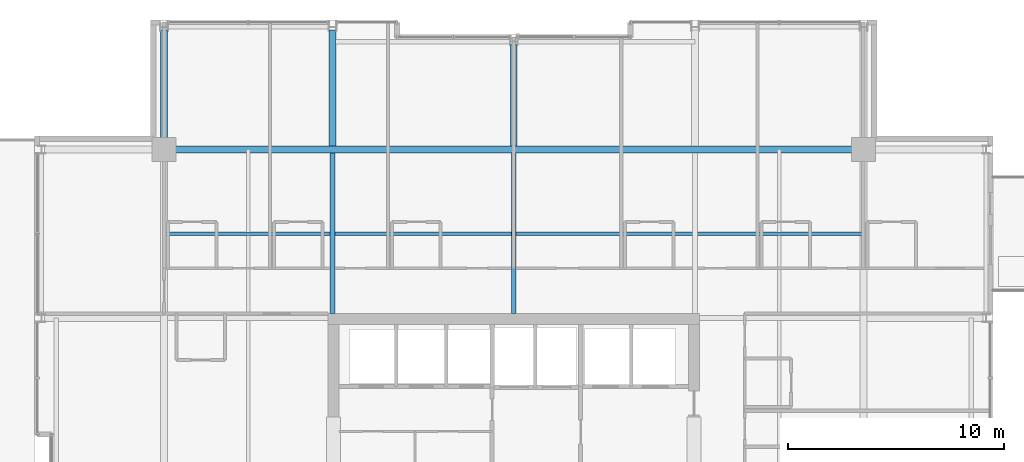
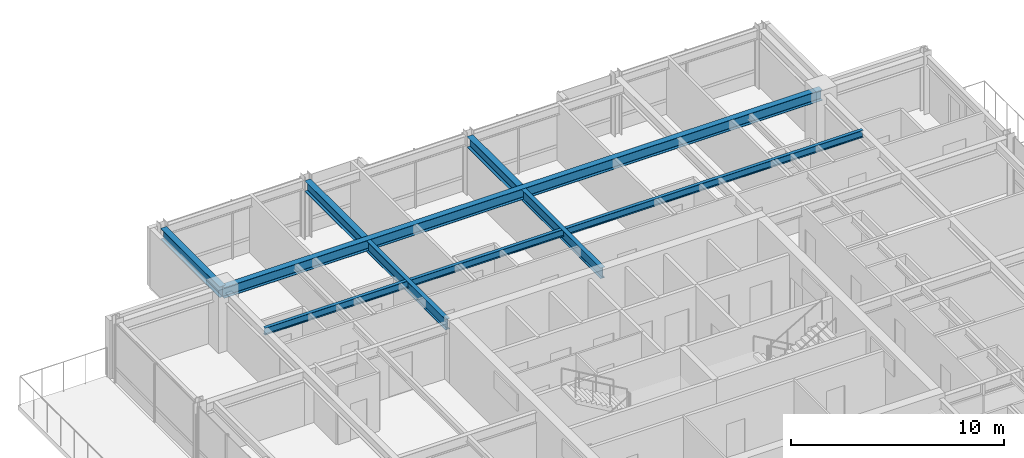
# One storey, part 18 of 32: 7 beams.
"""IFC4 building model written with IfcOpenShell, lengths in metres."""

from ifc_helpers import new_model, si_unit, direction, frame, origin, origin_2d, place, context, subcontext, project, spatial, i_section, extrude, material, material_profile, profile_set, type_object, element, save


model = new_model("IFC4")

# Units and contexts
model_context = context("Model", 3, precision=1e-05, world=origin(), true_north=direction((0.0, 1.0)))
body_context = subcontext(model_context, "Body", "Model", "MODEL_VIEW")
ifc_project = project(units=[si_unit("LENGTHUNIT", "METRE"), si_unit("AREAUNIT", "SQUARE_METRE"), si_unit("VOLUMEUNIT", "CUBIC_METRE"), si_unit("PLANEANGLEUNIT", "RADIAN"), si_unit("MASSUNIT", "GRAM", prefix="KILO")], contexts=[model_context])

# Site, building, storey
site_placement = place(None, origin())
site = spatial("IfcSite", under=ifc_project, at=site_placement, CompositionType="ELEMENT")
building_placement = place(site_placement, origin())
building = spatial("IfcBuilding", under=site, at=building_placement, Name="Drelvath Grand Hotel", CompositionType="ELEMENT")
storey_placement = place(building_placement, frame((0.0, 0.0, 205.10009765625)))
storey = spatial("IfcBuildingStorey", under=building, at=storey_placement, Name="L53", CompositionType="ELEMENT", Elevation=205.10009765625)

# Beams
ifc_material = material(Name="Steel ASTM A992 Gr 50", Category="steel")
ifc_material_profile_1 = material_profile(ifc_material, i_section(OverallWidth=0.177734375, OverallDepth=0.40673828125, WebThickness=0.0078125, FlangeThickness=0.0126953125, FilletRadius=0.014892578125, at=origin_2d()), Name="W16X40")
ifc_profile_set_1 = profile_set([ifc_material_profile_1], Name="Steel ASTM A992 Gr 50")
beam_type_1 = type_object("IfcBeamType", Name="Composite Floor Joist W16X40", PredefinedType="JOIST", material=ifc_profile_set_1)
beam_1_placement = place(storey_placement, frame((-16.199951171875, 39.300048828125, 3.136474609375), z_axis=(1.0, 0.0, 0.0), x_axis=(0.0, 1.0, 0.0)))
element("IfcBeam", 1, at=beam_1_placement, inside=storey, type_object=beam_type_1, Name="L53 Floor Joist J2", PredefinedType="JOIST", context=body_context, shape_type="SweptSolid", body=[
    extrude(i_section(OverallWidth=0.177734375, OverallDepth=0.40673828125, WebThickness=0.0078125, FlangeThickness=0.0126953125, FilletRadius=0.014892578125, at=origin_2d()), origin(), (0.0, 0.0, 1.0), 32.39990234375),
])
ifc_material_profile_2 = material_profile(ifc_material, i_section(OverallWidth=0.323974609375, OverallDepth=0.611083984375, WebThickness=0.0126953125, FlangeThickness=0.01904296875, FilletRadius=0.02197265625, at=origin_2d()), Name="W24X104")
ifc_profile_set_2 = profile_set([ifc_material_profile_2], Name="Steel ASTM A992 Gr 50")
beam_type_2 = type_object("IfcBeamType", Name="Primary Floor Girder W24X104", PredefinedType="BEAM", material=ifc_profile_set_2)
beam_2_placement = place(storey_placement, frame((-16.199951171875, 43.199951171875, 3.034423828125), z_axis=(1.0, 0.0, 0.0), x_axis=(0.0, 1.0, 0.0)))
element("IfcBeam", 2, at=beam_2_placement, inside=storey, type_object=beam_type_2, Name="L53 Mega Ring Girder North", PredefinedType="BEAM", context=body_context, shape_type="SweptSolid", body=[
    extrude(i_section(OverallWidth=0.323974609375, OverallDepth=0.611083984375, WebThickness=0.0126953125, FlangeThickness=0.01904296875, FilletRadius=0.02197265625, at=origin_2d()), origin(), (0.0, 0.0, 1.0), 32.39990234375),
])
beam_3_placement = place(storey_placement, frame((-16.199951171875, 43.199951171875, 3.034423828125), z_axis=(0.0, 1.0, 0.0), x_axis=(-1.0, 0.0, 0.0)))
element("IfcBeam", 3, at=beam_3_placement, inside=storey, type_object=beam_type_2, Name="L53 North Grid Girder 3", PredefinedType="BEAM", context=body_context, shape_type="SweptSolid", body=[
    extrude(i_section(OverallWidth=0.323974609375, OverallDepth=0.611083984375, WebThickness=0.0126953125, FlangeThickness=0.01904296875, FilletRadius=0.02197265625, at=origin_2d()), origin(), (0.0, 0.0, 1.0), 5.5400390625),
])
beam_4_placement = place(storey_placement, frame((-8.39990234375, 43.362060546875, 3.034423828125), z_axis=(0.0, 1.0, 0.0), x_axis=(-1.0, 0.0, 0.0)))
element("IfcBeam", 4, at=beam_4_placement, inside=storey, type_object=beam_type_2, Name="L53 North Wing Girder 4", PredefinedType="BEAM", context=body_context, shape_type="SweptSolid", body=[
    extrude(i_section(OverallWidth=0.323974609375, OverallDepth=0.611083984375, WebThickness=0.0126953125, FlangeThickness=0.01904296875, FilletRadius=0.02197265625, at=origin_2d()), origin(), (0.0, 0.0, 1.0), 5.3779296875),
])
beam_5_placement = place(storey_placement, frame((0.0, 43.362060546875, 3.034423828125), z_axis=(0.0, 1.0, 0.0), x_axis=(-1.0, 0.0, 0.0)))
element("IfcBeam", 5, at=beam_5_placement, inside=storey, type_object=beam_type_2, Name="L53 North Wing Girder 5", PredefinedType="BEAM", context=body_context, shape_type="SweptSolid", body=[
    extrude(i_section(OverallWidth=0.323974609375, OverallDepth=0.611083984375, WebThickness=0.0126953125, FlangeThickness=0.01904296875, FilletRadius=0.02197265625, at=origin_2d()), origin(), (0.0, 0.0, 1.0), 4.697998046875),
])
ifc_material_profile_3 = material_profile(ifc_material, i_section(OverallWidth=0.228271484375, OverallDepth=0.607666015625, WebThickness=0.01123046875, FlangeThickness=0.017333984375, FilletRadius=0.02001953125, at=origin_2d()), Name="W24X76")
ifc_profile_set_3 = profile_set([ifc_material_profile_3], Name="Steel ASTM A992 Gr 50")
beam_type_3 = type_object("IfcBeamType", Name="Primary Floor Girder W24X76", PredefinedType="BEAM", material=ifc_profile_set_3)
for number, where, z_axis, x_axis, name in (
    (6, (-8.39990234375, 35.60009765625, 3.0361328125), (0.0, 1.0, 0.0), (-1.0, 0.0, 0.0), "L53 North Core Tie 4"),
    (7, (0.0, 35.60009765625, 3.0361328125), (0.0, 1.0, 0.0), (-1.0, 0.0, 0.0), "L53 North Core Tie 5"),
):
    element("IfcBeam", number, at=place(storey_placement, frame(where, z_axis=z_axis, x_axis=x_axis)), inside=storey, type_object=beam_type_3, Name=name, PredefinedType="BEAM", context=body_context, shape_type="SweptSolid", body=[
        extrude(i_section(OverallWidth=0.228271484375, OverallDepth=0.607666015625, WebThickness=0.01123046875, FlangeThickness=0.017333984375, FilletRadius=0.02001953125, at=origin_2d()), origin(), (0.0, 0.0, 1.0), 7.43798828125),
    ])

save(model, "model.ifc")
